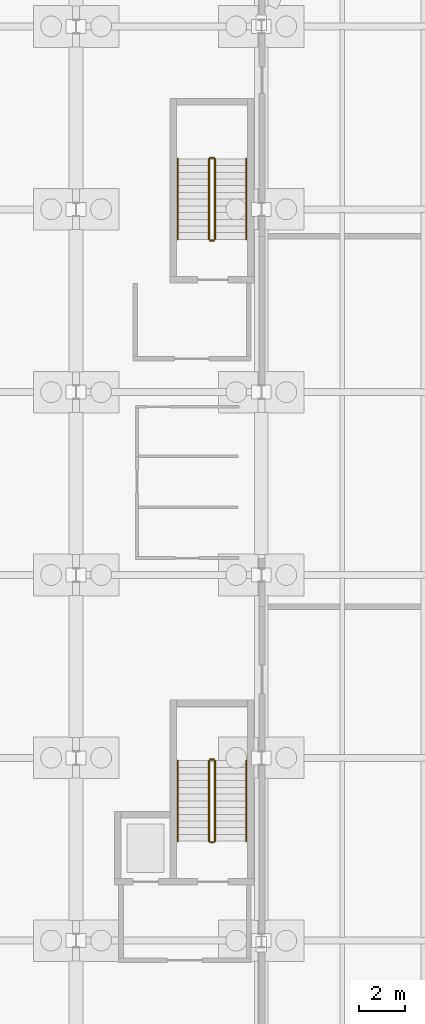
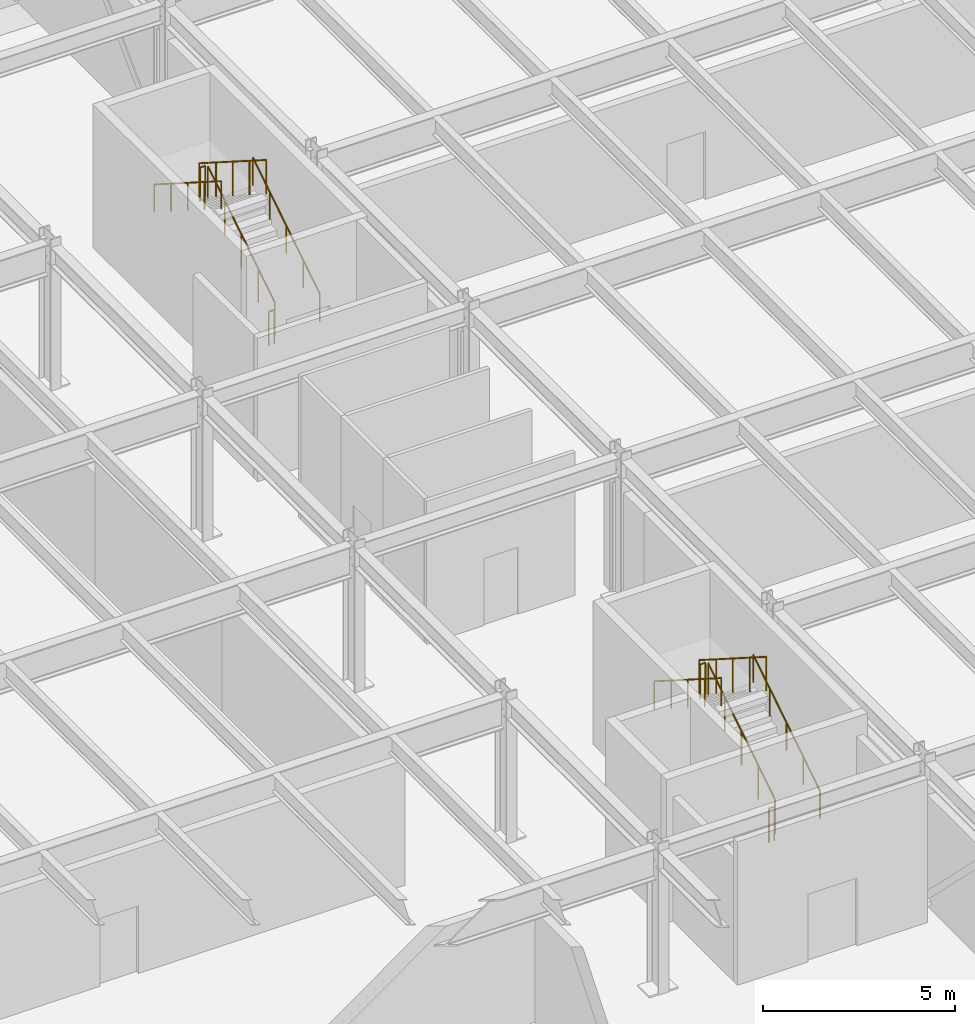
# One storey, part 49 of 50: 12 railings.
"""IFC4 building model written with IfcOpenShell, lengths in metres."""

from ifc_helpers import new_model, si_unit, direction, frame, origin, origin_2d, place, context, subcontext, project, spatial, circle, extrude, material, type_object, element, save


model = new_model("IFC4")

# Units and contexts
model_context = context("Model", 3, precision=1e-05, world=origin(), true_north=direction((0.0, 1.0)))
body_context = subcontext(model_context, "Body", "Model", "MODEL_VIEW")
ifc_project = project(units=[si_unit("LENGTHUNIT", "METRE"), si_unit("AREAUNIT", "SQUARE_METRE"), si_unit("VOLUMEUNIT", "CUBIC_METRE"), si_unit("PLANEANGLEUNIT", "RADIAN"), si_unit("MASSUNIT", "GRAM", prefix="KILO")], contexts=[model_context])

# Site, building, storey
site_placement = place(None, origin())
site = spatial("IfcSite", under=ifc_project, at=site_placement, CompositionType="ELEMENT")
building_placement = place(site_placement, origin())
building = spatial("IfcBuilding", under=site, at=building_placement, Name="Varnklinge Art Gallery", CompositionType="ELEMENT")
storey_placement = place(building_placement, frame((0.0, 0.0, -4.800048828125)))
storey = spatial("IfcBuildingStorey", under=building, at=storey_placement, Name="B01", CompositionType="ELEMENT", Elevation=-4.800048828125)

# Railings
ifc_material_1 = material(Name="Steel S355", Category="steel")
railing_type_1 = type_object("IfcRailingType", Name="GR-INT", PredefinedType="GUARDRAIL", material=ifc_material_1)
railing_1_placement = place(storey_placement, frame((141.39990234375, 70.39990234375, 0.1845703125)))
element("IfcRailing", 1, at=railing_1_placement, inside=storey, type_object=railing_type_1, Name="B01 ST-03 stair guard 1", PredefinedType="GUARDRAIL", context=body_context, shape_type="SweptSolid", body=[
    extrude(circle(Radius=0.02392578125, at=origin_2d()), frame((0.0, 0.0, 1.076171875), z_axis=(0.0, 0.843546938479, 0.53705545578), x_axis=(-1.0, 0.0, 0.0)), (0.0, 0.0, 1.0), 4.12548828125),
    extrude(circle(Radius=0.02099609375, at=origin_2d()), origin(), (0.0, 0.0, 1.0), 1.052001953125),
    extrude(circle(Radius=0.02099609375, at=origin_2d()), frame((0.0, 0.8701171875, 0.553955078125)), (0.0, 0.0, 1.0), 1.052001953125),
    extrude(circle(Radius=0.02099609375, at=origin_2d()), frame((0.0, 1.739990234375, 1.10791015625)), (0.0, 0.0, 1.0), 1.052001953125),
    extrude(circle(Radius=0.02099609375, at=origin_2d()), frame((0.0, 2.60986328125, 1.66162109375)), (0.0, 0.0, 1.0), 1.052001953125),
    extrude(circle(Radius=0.02099609375, at=origin_2d()), frame((0.0, 3.47998046875, 2.215576171875)), (0.0, 0.0, 1.0), 1.052001953125),
])
railing_2_placement = place(storey_placement, frame((141.35009765625, 73.929931640625, 2.400146484375)))
element("IfcRailing", 2, at=railing_2_placement, inside=storey, type_object=railing_type_1, Name="B01 ST-03 stair guard 2", PredefinedType="GUARDRAIL", context=body_context, shape_type="SweptSolid", body=[
    extrude(circle(Radius=0.02392578125, at=origin_2d()), frame((0.0, 0.0, 1.076171875), z_axis=(-1.0, 0.0, 0.0), x_axis=(0.0, -1.0, 0.0)), (0.0, 0.0, 1.0), 0.16015625),
    extrude(circle(Radius=0.02099609375, at=origin_2d()), origin(), (0.0, 0.0, 1.0), 1.052001953125),
    extrude(circle(Radius=0.02099609375, at=origin_2d()), frame((-0.16015625, 0.0, 0.0)), (0.0, 0.0, 1.0), 1.052001953125),
])
railing_3_placement = place(storey_placement, frame((141.139892578125, 73.8798828125, 2.584716796875)))
element("IfcRailing", 3, at=railing_3_placement, inside=storey, type_object=railing_type_1, Name="B01 ST-03 stair guard 3", PredefinedType="GUARDRAIL", context=body_context, shape_type="SweptSolid", body=[
    extrude(circle(Radius=0.02392578125, at=origin_2d()), frame((0.0, 0.0, 1.076171875), z_axis=(0.0, -0.843573748531, 0.537013343214), x_axis=(1.0, 0.0, 0.0)), (0.0, 0.0, 1.0), 4.125244140625),
    extrude(circle(Radius=0.02099609375, at=origin_2d()), origin(), (0.0, 0.0, 1.0), 1.052001953125),
    extrude(circle(Radius=0.02099609375, at=origin_2d()), frame((0.0, -0.8701171875, 0.5537109375)), (0.0, 0.0, 1.0), 1.052001953125),
    extrude(circle(Radius=0.02099609375, at=origin_2d()), frame((0.0, -1.739990234375, 1.107666015625)), (0.0, 0.0, 1.0), 1.052001953125),
    extrude(circle(Radius=0.02099609375, at=origin_2d()), frame((0.0, -2.60986328125, 1.66162109375)), (0.0, 0.0, 1.0), 1.052001953125),
    extrude(circle(Radius=0.02099609375, at=origin_2d()), frame((0.0, -3.47998046875, 2.21533203125)), (0.0, 0.0, 1.0), 1.052001953125),
])
railing_4_placement = place(storey_placement, frame((141.35009765625, 70.35009765625, 0.0)))
element("IfcRailing", 4, at=railing_4_placement, inside=storey, type_object=railing_type_1, Name="B01 ST-03 stair guard 4", PredefinedType="GUARDRAIL", context=body_context, shape_type="SweptSolid", body=[
    extrude(circle(Radius=0.02392578125, at=origin_2d()), frame((0.0, 0.0, 1.076171875), z_axis=(-1.0, 0.0, 0.0), x_axis=(0.0, -1.0, 0.0)), (0.0, 0.0, 1.0), 0.16015625),
    extrude(circle(Radius=0.02099609375, at=origin_2d()), origin(), (0.0, 0.0, 1.0), 1.052001953125),
    extrude(circle(Radius=0.02099609375, at=origin_2d()), frame((-0.16015625, 0.0, 0.0)), (0.0, 0.0, 1.0), 1.052001953125),
])
railing_5_placement = place(storey_placement, frame((141.39990234375, 96.39990234375, 0.1845703125)))
element("IfcRailing", 5, at=railing_5_placement, inside=storey, type_object=railing_type_1, Name="B01 ST-07 stair guard 1", PredefinedType="GUARDRAIL", context=body_context, shape_type="SweptSolid", body=[
    extrude(circle(Radius=0.02392578125, at=origin_2d()), frame((0.0, 0.0, 1.076171875), z_axis=(0.0, 0.843546938479, 0.53705545578), x_axis=(-1.0, 0.0, 0.0)), (0.0, 0.0, 1.0), 4.12548828125),
    extrude(circle(Radius=0.02099609375, at=origin_2d()), origin(), (0.0, 0.0, 1.0), 1.052001953125),
    extrude(circle(Radius=0.02099609375, at=origin_2d()), frame((0.0, 0.8701171875, 0.553955078125)), (0.0, 0.0, 1.0), 1.052001953125),
    extrude(circle(Radius=0.02099609375, at=origin_2d()), frame((0.0, 1.739990234375, 1.10791015625)), (0.0, 0.0, 1.0), 1.052001953125),
    extrude(circle(Radius=0.02099609375, at=origin_2d()), frame((0.0, 2.60986328125, 1.66162109375)), (0.0, 0.0, 1.0), 1.052001953125),
    extrude(circle(Radius=0.02099609375, at=origin_2d()), frame((0.0, 3.47998046875, 2.215576171875)), (0.0, 0.0, 1.0), 1.052001953125),
])
railing_6_placement = place(storey_placement, frame((141.35009765625, 99.929931640625, 2.400146484375)))
element("IfcRailing", 6, at=railing_6_placement, inside=storey, type_object=railing_type_1, Name="B01 ST-07 stair guard 2", PredefinedType="GUARDRAIL", context=body_context, shape_type="SweptSolid", body=[
    extrude(circle(Radius=0.02392578125, at=origin_2d()), frame((0.0, 0.0, 1.076171875), z_axis=(-1.0, 0.0, 0.0), x_axis=(0.0, -1.0, 0.0)), (0.0, 0.0, 1.0), 0.16015625),
    extrude(circle(Radius=0.02099609375, at=origin_2d()), origin(), (0.0, 0.0, 1.0), 1.052001953125),
    extrude(circle(Radius=0.02099609375, at=origin_2d()), frame((-0.16015625, 0.0, 0.0)), (0.0, 0.0, 1.0), 1.052001953125),
])
railing_7_placement = place(storey_placement, frame((141.139892578125, 99.8798828125, 2.584716796875)))
element("IfcRailing", 7, at=railing_7_placement, inside=storey, type_object=railing_type_1, Name="B01 ST-07 stair guard 3", PredefinedType="GUARDRAIL", context=body_context, shape_type="SweptSolid", body=[
    extrude(circle(Radius=0.02392578125, at=origin_2d()), frame((0.0, 0.0, 1.076171875), z_axis=(0.0, -0.843573748531, 0.537013343214), x_axis=(1.0, 0.0, 0.0)), (0.0, 0.0, 1.0), 4.125244140625),
    extrude(circle(Radius=0.02099609375, at=origin_2d()), origin(), (0.0, 0.0, 1.0), 1.052001953125),
    extrude(circle(Radius=0.02099609375, at=origin_2d()), frame((0.0, -0.8701171875, 0.5537109375)), (0.0, 0.0, 1.0), 1.052001953125),
    extrude(circle(Radius=0.02099609375, at=origin_2d()), frame((0.0, -1.739990234375, 1.107666015625)), (0.0, 0.0, 1.0), 1.052001953125),
    extrude(circle(Radius=0.02099609375, at=origin_2d()), frame((0.0, -2.60986328125, 1.66162109375)), (0.0, 0.0, 1.0), 1.052001953125),
    extrude(circle(Radius=0.02099609375, at=origin_2d()), frame((0.0, -3.47998046875, 2.21533203125)), (0.0, 0.0, 1.0), 1.052001953125),
])
railing_8_placement = place(storey_placement, frame((141.35009765625, 96.35009765625, 0.0)))
element("IfcRailing", 8, at=railing_8_placement, inside=storey, type_object=railing_type_1, Name="B01 ST-07 stair guard 4", PredefinedType="GUARDRAIL", context=body_context, shape_type="SweptSolid", body=[
    extrude(circle(Radius=0.02392578125, at=origin_2d()), frame((0.0, 0.0, 1.076171875), z_axis=(-1.0, 0.0, 0.0), x_axis=(0.0, -1.0, 0.0)), (0.0, 0.0, 1.0), 0.16015625),
    extrude(circle(Radius=0.02099609375, at=origin_2d()), origin(), (0.0, 0.0, 1.0), 1.052001953125),
    extrude(circle(Radius=0.02099609375, at=origin_2d()), frame((-0.16015625, 0.0, 0.0)), (0.0, 0.0, 1.0), 1.052001953125),
])
ifc_material_2 = material(Name="Steel S355", Category="steel")
railing_type_2 = type_object("IfcRailingType", Name="HR-01", PredefinedType="HANDRAIL", material=ifc_material_2)
railing_9_placement = place(storey_placement, frame((142.75, 70.39990234375, 0.1845703125)))
element("IfcRailing", 9, at=railing_9_placement, inside=storey, type_object=railing_type_2, Name="B01 ST-03 stair handrail 1", PredefinedType="HANDRAIL", context=body_context, shape_type="SweptSolid", body=[
    extrude(circle(Radius=0.02392578125, at=origin_2d()), frame((0.0, 0.0, 0.8759765625), z_axis=(0.0, 0.843546938479, 0.53705545578), x_axis=(-1.0, 0.0, 0.0)), (0.0, 0.0, 1.0), 4.12548828125),
    extrude(circle(Radius=0.02099609375, at=origin_2d()), origin(), (0.0, 0.0, 1.0), 0.851806640625),
    extrude(circle(Radius=0.02099609375, at=origin_2d()), frame((0.0, 0.8701171875, 0.553955078125)), (0.0, 0.0, 1.0), 0.851806640625),
    extrude(circle(Radius=0.02099609375, at=origin_2d()), frame((0.0, 1.739990234375, 1.10791015625)), (0.0, 0.0, 1.0), 0.851806640625),
    extrude(circle(Radius=0.02099609375, at=origin_2d()), frame((0.0, 2.60986328125, 1.66162109375)), (0.0, 0.0, 1.0), 0.851806640625),
    extrude(circle(Radius=0.02099609375, at=origin_2d()), frame((0.0, 3.47998046875, 2.215576171875)), (0.0, 0.0, 1.0), 0.851806640625),
])
railing_10_placement = place(storey_placement, frame((139.7900390625, 73.8798828125, 2.584716796875)))
element("IfcRailing", 10, at=railing_10_placement, inside=storey, type_object=railing_type_2, Name="B01 ST-03 stair handrail 2", PredefinedType="HANDRAIL", context=body_context, shape_type="SweptSolid", body=[
    extrude(circle(Radius=0.02392578125, at=origin_2d()), frame((0.0, 0.0, 0.8759765625), z_axis=(0.0, -0.843573748531, 0.537013343214), x_axis=(1.0, 0.0, 0.0)), (0.0, 0.0, 1.0), 4.125244140625),
    extrude(circle(Radius=0.02099609375, at=origin_2d()), origin(), (0.0, 0.0, 1.0), 0.851806640625),
    extrude(circle(Radius=0.02099609375, at=origin_2d()), frame((0.0, -0.8701171875, 0.5537109375)), (0.0, 0.0, 1.0), 0.851806640625),
    extrude(circle(Radius=0.02099609375, at=origin_2d()), frame((0.0, -1.739990234375, 1.107666015625)), (0.0, 0.0, 1.0), 0.851806640625),
    extrude(circle(Radius=0.02099609375, at=origin_2d()), frame((0.0, -2.60986328125, 1.66162109375)), (0.0, 0.0, 1.0), 0.851806640625),
    extrude(circle(Radius=0.02099609375, at=origin_2d()), frame((0.0, -3.47998046875, 2.21533203125)), (0.0, 0.0, 1.0), 0.851806640625),
])
railing_11_placement = place(storey_placement, frame((142.75, 96.39990234375, 0.1845703125)))
element("IfcRailing", 11, at=railing_11_placement, inside=storey, type_object=railing_type_2, Name="B01 ST-07 stair handrail 1", PredefinedType="HANDRAIL", context=body_context, shape_type="SweptSolid", body=[
    extrude(circle(Radius=0.02392578125, at=origin_2d()), frame((0.0, 0.0, 0.8759765625), z_axis=(0.0, 0.843546938479, 0.53705545578), x_axis=(-1.0, 0.0, 0.0)), (0.0, 0.0, 1.0), 4.12548828125),
    extrude(circle(Radius=0.02099609375, at=origin_2d()), origin(), (0.0, 0.0, 1.0), 0.851806640625),
    extrude(circle(Radius=0.02099609375, at=origin_2d()), frame((0.0, 0.8701171875, 0.553955078125)), (0.0, 0.0, 1.0), 0.851806640625),
    extrude(circle(Radius=0.02099609375, at=origin_2d()), frame((0.0, 1.739990234375, 1.10791015625)), (0.0, 0.0, 1.0), 0.851806640625),
    extrude(circle(Radius=0.02099609375, at=origin_2d()), frame((0.0, 2.60986328125, 1.66162109375)), (0.0, 0.0, 1.0), 0.851806640625),
    extrude(circle(Radius=0.02099609375, at=origin_2d()), frame((0.0, 3.47998046875, 2.215576171875)), (0.0, 0.0, 1.0), 0.851806640625),
])
railing_12_placement = place(storey_placement, frame((139.7900390625, 99.8798828125, 2.584716796875)))
element("IfcRailing", 12, at=railing_12_placement, inside=storey, type_object=railing_type_2, Name="B01 ST-07 stair handrail 2", PredefinedType="HANDRAIL", context=body_context, shape_type="SweptSolid", body=[
    extrude(circle(Radius=0.02392578125, at=origin_2d()), frame((0.0, 0.0, 0.8759765625), z_axis=(0.0, -0.843573748531, 0.537013343214), x_axis=(1.0, 0.0, 0.0)), (0.0, 0.0, 1.0), 4.125244140625),
    extrude(circle(Radius=0.02099609375, at=origin_2d()), origin(), (0.0, 0.0, 1.0), 0.851806640625),
    extrude(circle(Radius=0.02099609375, at=origin_2d()), frame((0.0, -0.8701171875, 0.5537109375)), (0.0, 0.0, 1.0), 0.851806640625),
    extrude(circle(Radius=0.02099609375, at=origin_2d()), frame((0.0, -1.739990234375, 1.107666015625)), (0.0, 0.0, 1.0), 0.851806640625),
    extrude(circle(Radius=0.02099609375, at=origin_2d()), frame((0.0, -2.60986328125, 1.66162109375)), (0.0, 0.0, 1.0), 0.851806640625),
    extrude(circle(Radius=0.02099609375, at=origin_2d()), frame((0.0, -3.47998046875, 2.21533203125)), (0.0, 0.0, 1.0), 0.851806640625),
])

save(model, "model.ifc")
